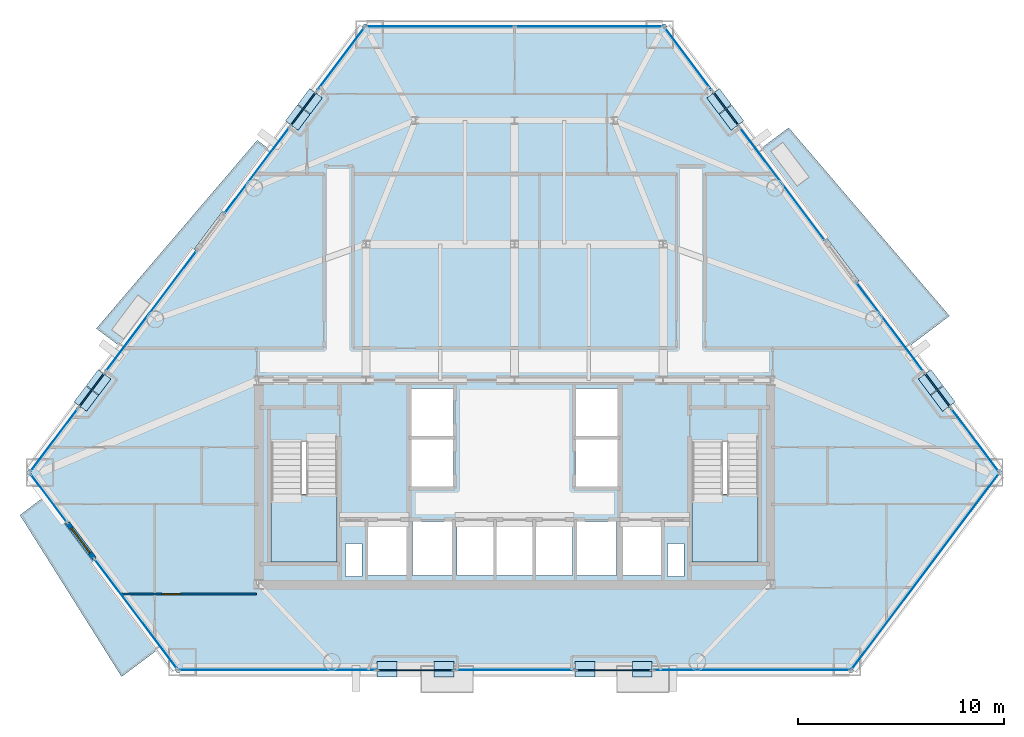
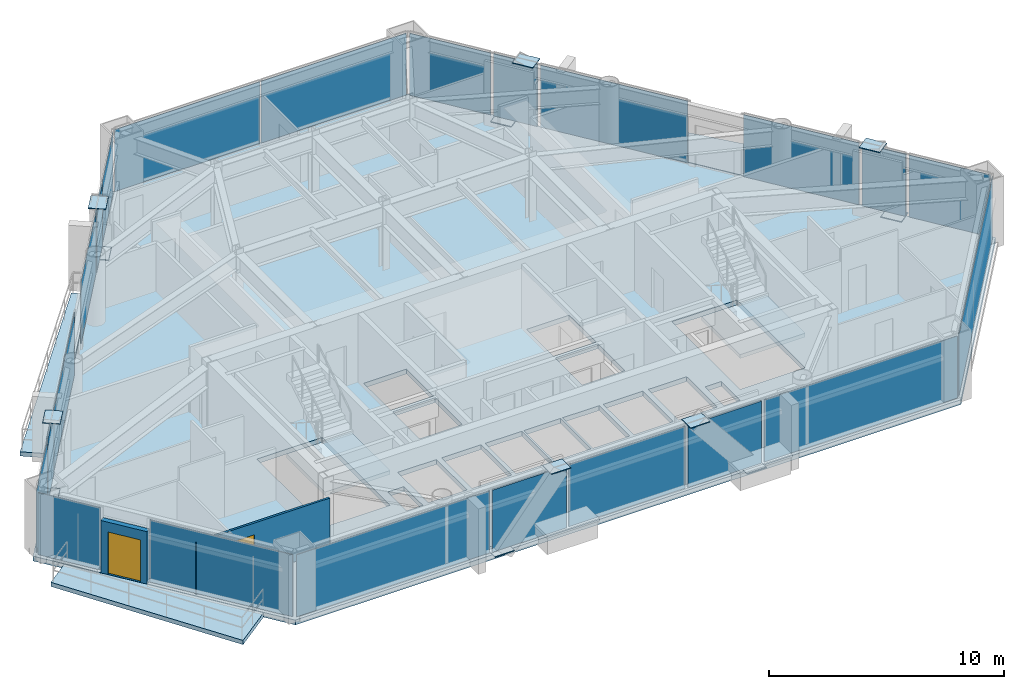
# One storey, part 5 of 11: 34 plates, 6 slabs, 2 doors, 2 walls, 2 openings, 23 elements without a shape of their own.
"""IFC4 building model written with IfcOpenShell, lengths in metres."""

from ifc_helpers import new_model, si_unit, direction, frame, frame_2d, origin, origin_2d, place, context, subcontext, project, spatial, polyline, rectangle, outline, extrude, source, transform, mapped, material, layer, layer_set, type_object, type_shapes, element, fill, aggregate, save


model = new_model("IFC4")

# Units and contexts
model_context = context("Model", 3, precision=1e-05, world=origin(), true_north=direction((0.0, 1.0)))
body_context = subcontext(model_context, "Body", "Model", "MODEL_VIEW")
ifc_project = project(units=[si_unit("LENGTHUNIT", "METRE"), si_unit("AREAUNIT", "SQUARE_METRE"), si_unit("VOLUMEUNIT", "CUBIC_METRE"), si_unit("PLANEANGLEUNIT", "RADIAN"), si_unit("MASSUNIT", "GRAM", prefix="KILO")], contexts=[model_context])

# Site, building, storey
site_placement = place(None, origin())
site = spatial("IfcSite", under=ifc_project, at=site_placement, CompositionType="ELEMENT")
building_placement = place(site_placement, origin())
building = spatial("IfcBuilding", under=site, at=building_placement, Name="Talgorran Terracotta Tower", CompositionType="ELEMENT")
storey_placement = place(building_placement, frame((0.0, 0.0, 68.39990234375)))
storey = spatial("IfcBuildingStorey", under=building, at=storey_placement, Name="L17", CompositionType="ELEMENT", Elevation=68.39990234375)

# Plates
ifc_material_1 = material(Name="Steel Grade 350 (350L0)", Category="steel")
ifc_layer_1 = layer(ifc_material_1, 0.0400390625, Name="PL_CAP_MN05")
ifc_layer_set_1 = layer_set([ifc_layer_1], Name="Steel Grade 350 (350L0)")
plate_type_1 = type_object("IfcPlateType", Name="PL_CAP_MN05", PredefinedType="USERDEFINED", material=ifc_layer_set_1)
for number, where, z_axis, x_axis, name in (
    (1, (-6.187255859375, -18.206787109375, -0.010009765625), (0.0, 0.0, 1.0), (1.0, 0.0, 0.0), "L17 Diagonal Frame End Cap SWF Bot"),
    (2, (-3.419189453125, -18.206787109375, 3.320068359375), (0.0, 0.0, 1.0), (1.0, 0.0, 0.0), "L17 Diagonal Frame End Cap SWF Top"),
    (3, (6.187255859375, -18.206787109375, -0.010009765625), (0.0, 0.0, 1.0), (-1.0, 0.0, 0.0), "L17 Diagonal Frame End Cap SEF Bot"),
    (4, (3.419189453125, -18.206787109375, 3.320068359375), (0.0, 0.0, 1.0), (-1.0, 0.0, 0.0), "L17 Diagonal Frame End Cap SEF Top"),
    (5, (20.759765625, -5.089599609375, -0.010009765625), (0.0, 0.0, 1.0), (-0.601257323772, 0.799055461536, 0.0), "L17 Diagonal Frame End Cap NEL Bot"),
    (6, (20.15869140625, -4.291015625, 3.320068359375), (0.0, 0.0, 1.0), (-0.601257323772, 0.799055461536, 0.0), "L17 Diagonal Frame End Cap NEL Top"),
    (7, (9.910400390625, 9.32958984375, -0.010009765625), (0.0, 0.0, 1.0), (0.601257323772, -0.799055461536, 0.0), "L17 Diagonal Frame End Cap NEU Bot"),
    (8, (10.51123046875, 8.531005859375, 3.320068359375), (0.0, 0.0, 1.0), (0.601257323772, -0.799055461536, 0.0), "L17 Diagonal Frame End Cap NEU Top"),
    (9, (-9.910400390625, 9.32958984375, -0.010009765625), (0.0, 0.0, 1.0), (-0.601257323772, -0.799055461536, 0.0), "L17 Diagonal Frame End Cap NWU Bot"),
    (10, (-10.51123046875, 8.531005859375, 3.320068359375), (0.0, 0.0, 1.0), (-0.601257323772, -0.799055461536, 0.0), "L17 Diagonal Frame End Cap NWU Top"),
    (11, (-20.759765625, -5.089599609375, -0.010009765625), (0.0, 0.0, 1.0), (0.601257323772, 0.799055461536, 0.0), "L17 Diagonal Frame End Cap NWL Bot"),
    (12, (-20.15869140625, -4.291015625, 3.320068359375), (0.0, 0.0, 1.0), (0.601257323772, 0.799055461536, 0.0), "L17 Diagonal Frame End Cap NWL Top"),
):
    element("IfcPlate", number, at=place(storey_placement, frame(where, z_axis=z_axis, x_axis=x_axis)), inside=storey, type_object=plate_type_1, Name=name, ObjectType="CAP PLATE", PredefinedType="USERDEFINED", context=body_context, shape_type="SweptSolid", body=[
        extrude(rectangle(XDim=0.9599609375, YDim=0.760009765625, at=origin_2d()), origin(), (0.0, 0.0, 1.0), 0.0400390625),
    ])

# Slabs
ifc_material_2 = material(Name="Concrete C40/50", Category="concrete")
ifc_layer_2 = layer(ifc_material_2, 0.219970703125, Name="SL_BALCONY_220")
ifc_layer_set_2 = layer_set([ifc_layer_2], Name="Concrete C40/50")
slab_type_1 = type_object("IfcSlabType", Name="SL_BALCONY_220", PredefinedType="FLOOR", material=ifc_layer_set_2)
slab_1_placement = place(storey_placement, frame((0.0, 0.0, -0.219970703125)))
element("IfcSlab", 13, at=slab_1_placement, inside=storey, type_object=slab_type_1, Name="L17 Outdoor Wave Balcony BAL-NE", PredefinedType="FLOOR", context=body_context, shape_type="SweptSolid", body=[
    extrude(outline(polyline([(11.88720703125, 6.9931640625), (19.086669921875, -2.574951171875), (21.0732421875, -1.080078125), (13.2822265625, 8.04248046875), (11.88720703125, 6.9931640625)])), origin(), (0.0, 0.0, 1.0), 0.219970703125),
])
slab_2_placement = place(storey_placement, frame((0.0, 0.0, -0.219970703125)))
element("IfcSlab", 14, at=slab_2_placement, inside=storey, type_object=slab_type_1, Name="L17 Outdoor Wave Balcony BAL-NW", PredefinedType="FLOOR", context=body_context, shape_type="SweptSolid", body=[
    extrude(outline(polyline([(-19.086669921875, -2.574951171875), (-11.88720703125, 6.9931640625), (-12.4736328125, 7.43408203125), (-20.2646484375, -1.688720703125), (-19.086669921875, -2.574951171875)])), origin(), (0.0, 0.0, 1.0), 0.219970703125),
])
slab_3_placement = place(storey_placement, frame((0.0, 0.0, -0.219970703125)))
element("IfcSlab", 15, at=slab_3_placement, inside=storey, type_object=slab_type_1, Name="L17 Outdoor Wave Balcony BAL-SW", PredefinedType="FLOOR", context=body_context, shape_type="SweptSolid", body=[
    extrude(outline(polyline([(-17.249267578125, -17.21240234375), (-22.792724609375, -9.84521484375), (-23.968994140625, -10.730224609375), (-19.04248046875, -18.561767578125), (-17.249267578125, -17.21240234375)])), origin(), (0.0, 0.0, 1.0), 0.219970703125),
])

# Stair, slab
stair_type = type_object("IfcStairType", Name="ST_FIRE_SCISSOR", PredefinedType="HALF_TURN_STAIR", material=ifc_material_2)
stair_1_placement = place(storey_placement, origin())
stair_1 = element("IfcStair", 16, at=stair_1_placement, inside=storey, type_object=stair_type, Name="L17 West Protected Fire Stair ST-01", PredefinedType="HALF_TURN_STAIR")
ifc_layer_3 = layer(ifc_material_2, 0.199951171875, Name="SL_LANDING_200")
ifc_layer_set_3 = layer_set([ifc_layer_3], Name="Concrete C40/50")
slab_type_2 = type_object("IfcSlabType", Name="SL_LANDING_200", PredefinedType="LANDING", material=ifc_layer_set_3)
slab_4_placement = place(storey_placement, frame((0.0, 0.0, 1.60009765625)))
slab_4 = element("IfcSlab", 17, at=slab_4_placement, type_object=slab_type_2, Name="ST-01 landing 1", PredefinedType="LANDING", context=body_context, shape_type="SweptSolid", body=[
    extrude(outline(polyline([(-11.800048828125, -9.719970703125), (-11.800048828125, -13.0), (-8.60009765625, -13.0), (-8.60009765625, -9.719970703125), (-11.800048828125, -9.719970703125)])), origin(), (0.0, 0.0, 1.0), 0.199951171875),
])
aggregate(stair_1, [slab_4])

stair_2_placement = place(storey_placement, origin())
stair_2 = element("IfcStair", 18, at=stair_2_placement, inside=storey, type_object=stair_type, Name="L17 East Protected Fire Stair ST-02", PredefinedType="HALF_TURN_STAIR")
slab_5_placement = place(storey_placement, frame((0.0, 0.0, 1.60009765625)))
slab_5 = element("IfcSlab", 19, at=slab_5_placement, type_object=slab_type_2, Name="ST-02 landing 1", PredefinedType="LANDING", context=body_context, shape_type="SweptSolid", body=[
    extrude(outline(polyline([(8.60009765625, -9.719970703125), (8.60009765625, -13.0), (11.800048828125, -13.0), (11.800048828125, -9.719970703125), (8.60009765625, -9.719970703125)])), origin(), (0.0, 0.0, 1.0), 0.199951171875),
])
aggregate(stair_2, [slab_5])

# Slab
ifc_layer_4 = layer(ifc_material_2, 0.264892578125, Name="SL_TOWER_265")
ifc_layer_set_4 = layer_set([ifc_layer_4], Name="Concrete C40/50")
slab_type_3 = type_object("IfcSlabType", Name="SL_TOWER_265", PredefinedType="FLOOR", material=ifc_layer_set_4)
slab_6_placement = place(storey_placement, frame((0.0, 0.0, -0.25)))
element("IfcSlab", 20, at=slab_6_placement, inside=storey, type_object=slab_type_3, Name="Storey L17 Structural Floor Slab", PredefinedType="FLOOR", context=body_context, shape_type="SweptSolid", body=[
    extrude(outline(polyline([(-23.656005859375, -8.6728515625), (-16.362060546875, -18.36669921875), (16.362060546875, -18.36669921875), (23.656005859375, -8.6728515625), (7.2939453125, 13.07275390625), (-7.2939453125, 13.07275390625), (-23.656005859375, -8.6728515625)]), holes=[polyline([(-11.800048828125, -7.199951171875), (-11.800048828125, -13.0), (-8.60009765625, -13.0), (-8.60009765625, -7.199951171875), (-11.800048828125, -7.199951171875)]), polyline([(8.60009765625, -7.199951171875), (8.60009765625, -13.0), (11.800048828125, -13.0), (11.800048828125, -7.199951171875), (8.60009765625, -7.199951171875)]), polyline([(-7.10009765625, -13.64990234375), (-5.199951171875, -13.64990234375), (-5.199951171875, -11.050048828125), (-7.10009765625, -11.050048828125), (-7.10009765625, -13.64990234375)]), polyline([(5.199951171875, -13.64990234375), (7.10009765625, -13.64990234375), (7.10009765625, -11.050048828125), (5.199951171875, -11.050048828125), (5.199951171875, -13.64990234375)]), polyline([(3.0, -13.64990234375), (4.949951171875, -13.64990234375), (4.949951171875, -11.050048828125), (3.0, -11.050048828125), (3.0, -13.64990234375)]), polyline([(-4.949951171875, -13.64990234375), (-3.0, -13.64990234375), (-3.0, -11.050048828125), (-4.949951171875, -11.050048828125), (-4.949951171875, -13.64990234375)]), polyline([(-5.050048828125, -9.35009765625), (-2.949951171875, -9.35009765625), (-2.949951171875, -7.050048828125), (-5.050048828125, -7.050048828125), (-5.050048828125, -9.35009765625)]), polyline([(-5.050048828125, -6.89990234375), (-2.949951171875, -6.89990234375), (-2.949951171875, -4.60009765625), (-5.050048828125, -4.60009765625), (-5.050048828125, -6.89990234375)]), polyline([(2.949951171875, -9.35009765625), (5.050048828125, -9.35009765625), (5.050048828125, -7.050048828125), (2.949951171875, -7.050048828125), (2.949951171875, -9.35009765625)]), polyline([(2.949951171875, -6.89990234375), (5.050048828125, -6.89990234375), (5.050048828125, -4.60009765625), (2.949951171875, -4.60009765625), (2.949951171875, -6.89990234375)]), polyline([(-2.800048828125, -13.64990234375), (-1.0, -13.64990234375), (-1.0, -11.050048828125), (-2.800048828125, -11.050048828125), (-2.800048828125, -13.64990234375)]), polyline([(-0.89990234375, -13.64990234375), (0.89990234375, -13.64990234375), (0.89990234375, -11.050048828125), (-0.89990234375, -11.050048828125), (-0.89990234375, -13.64990234375)]), polyline([(1.0, -13.64990234375), (2.800048828125, -13.64990234375), (2.800048828125, -11.050048828125), (1.0, -11.050048828125), (1.0, -13.64990234375)]), polyline([(-8.199951171875, -13.699951171875), (-7.39990234375, -13.699951171875), (-7.39990234375, -12.10009765625), (-8.199951171875, -12.10009765625), (-8.199951171875, -13.699951171875)]), polyline([(7.39990234375, -13.699951171875), (8.199951171875, -13.699951171875), (8.199951171875, -12.10009765625), (7.39990234375, -12.10009765625), (7.39990234375, -13.699951171875)])]), origin(), (0.0, 0.0, 1.0), 0.25),
])

# Curtain wall, plate
ifc_material_3 = material(Name="Unitised Low-E Double Glazing", Category="glass")
ifc_layer_5 = layer(ifc_material_3, 0.199951171875, Name="CW_SYS2_RES_LOW")
ifc_layer_set_5 = layer_set([ifc_layer_5], Name="Unitised Low-E Double Glazing")
curtain_wall_type = type_object("IfcCurtainWallType", Name="CW_SYS2_RES_LOW", PredefinedType="NOTDEFINED", material=ifc_layer_set_5)
curtain_wall_1_placement = place(storey_placement, origin())
curtain_wall_1 = element("IfcCurtainWall", 21, at=curtain_wall_1_placement, inside=storey, type_object=curtain_wall_type, Name="CW-L17-F10", PredefinedType="NOTDEFINED")
ifc_material_4 = material(Name="Low-E Laminated Vision Glass", Category="glass")
ifc_layer_6 = layer(ifc_material_4, 0.028076171875, Name="PLT_VISION_28")
ifc_layer_set_6 = layer_set([ifc_layer_6], Name="Low-E Laminated Vision Glass")
plate_type_2 = type_object("IfcPlateType", Name="PLT_VISION_28", PredefinedType="CURTAIN_PANEL", material=ifc_layer_set_6)
shared_shape_1 = source(origin(), body_context, "Body", "SweptSolid", [
    extrude(rectangle(XDim=2.870849609375, YDim=0.028076171875, at=origin_2d()), origin(), (0.0, 0.0, 1.0), 3.219970703125),
])
plate_1_placement = place(storey_placement, frame((-22.57958984375, -9.90380859375, 0.06494140625), z_axis=(0.0, 0.0, 1.0), x_axis=(0.601252220013, -0.799059301885, 0.0)))
plate_1 = element("IfcPlate", 22, at=plate_1_placement, type_object=plate_type_2, Name="CW-L17-10 panel 1.1", PredefinedType="CURTAIN_PANEL", context=body_context, shape_type="MappedRepresentation", body=[
    mapped(shared_shape_1, transform((0.0, 0.0, 0.0), scale=1.0)),
])
aggregate(curtain_wall_1, [plate_1])

curtain_wall_2_placement = place(storey_placement, origin())
curtain_wall_2 = element("IfcCurtainWall", 23, at=curtain_wall_2_placement, inside=storey, type_object=curtain_wall_type, Name="CW-L17-F11", PredefinedType="NOTDEFINED")
shared_shape_2 = source(origin(), body_context, "Body", "SweptSolid", [
    extrude(rectangle(XDim=6.6103515625, YDim=0.028076171875, at=origin_2d()), origin(), (0.0, 0.0, 1.0), 3.219970703125),
])
plate_2_placement = place(storey_placement, frame((-18.3525390625, -15.521728515625, 0.06494140625), z_axis=(0.0, 0.0, 1.0), x_axis=(0.601252596491, -0.799059018604, 0.0)))
plate_2 = element("IfcPlate", 24, at=plate_2_placement, type_object=plate_type_2, Name="CW-L17-11 panel 1.1", PredefinedType="CURTAIN_PANEL", context=body_context, shape_type="MappedRepresentation", body=[
    mapped(shared_shape_2, transform((0.0, 0.0, 0.0), scale=1.0)),
])
aggregate(curtain_wall_2, [plate_2])

curtain_wall_3_placement = place(storey_placement, origin())
curtain_wall_3 = element("IfcCurtainWall", 25, at=curtain_wall_3_placement, inside=storey, type_object=curtain_wall_type, Name="CW-L17-F1", PredefinedType="NOTDEFINED")
shared_shape_3 = source(origin(), body_context, "Body", "SweptSolid", [
    extrude(rectangle(XDim=9.48095703125, YDim=0.028076171875, at=origin_2d()), origin(), (0.0, 0.0, 1.0), 3.219970703125),
])
plate_3_placement = place(storey_placement, frame((-11.49658203125, -18.24658203125, 0.06494140625), z_axis=(0.0, 0.0, 1.0), x_axis=(1.0, 0.0, 0.0)))
plate_3 = element("IfcPlate", 26, at=plate_3_placement, type_object=plate_type_2, Name="CW-L17-1 panel 1.1", PredefinedType="CURTAIN_PANEL", context=body_context, shape_type="MappedRepresentation", body=[
    mapped(shared_shape_3, transform((0.0, 0.0, 0.0), scale=1.0)),
])
aggregate(curtain_wall_3, [plate_3])

curtain_wall_4_placement = place(storey_placement, origin())
curtain_wall_4 = element("IfcCurtainWall", 27, at=curtain_wall_4_placement, inside=storey, type_object=curtain_wall_type, Name="CW-L17-F1E", PredefinedType="NOTDEFINED")
plate_4_placement = place(storey_placement, frame((11.49658203125, -18.24658203125, 0.06494140625), z_axis=(0.0, 0.0, 1.0), x_axis=(1.0, 0.0, 0.0)))
plate_4 = element("IfcPlate", 28, at=plate_4_placement, type_object=plate_type_2, Name="CW-L17-1E panel 1.1", PredefinedType="CURTAIN_PANEL", context=body_context, shape_type="MappedRepresentation", body=[
    mapped(shared_shape_3, transform((0.0, 0.0, 0.0), scale=1.0)),
])
aggregate(curtain_wall_4, [plate_4])

curtain_wall_5_placement = place(storey_placement, origin())
curtain_wall_5 = element("IfcCurtainWall", 29, at=curtain_wall_5_placement, inside=storey, type_object=curtain_wall_type, Name="CW-L17-F1B", PredefinedType="NOTDEFINED")
ifc_material_5 = material(Name="Terracotta Insulated Spandrel", Category="masonry")
ifc_layer_7 = layer(ifc_material_5, 0.06494140625, Name="PLT_SPANDREL_TERRA")
ifc_layer_set_7 = layer_set([ifc_layer_7], Name="Terracotta Insulated Spandrel")
plate_type_3 = type_object("IfcPlateType", Name="PLT_SPANDREL_TERRA", PredefinedType="SHEET", material=ifc_layer_set_7)
shared_shape_4 = source(origin(), body_context, "Body", "SweptSolid", [
    extrude(rectangle(XDim=3.6259765625, YDim=0.06494140625, at=origin_2d()), origin(), (0.0, 0.0, 1.0), 3.219970703125),
])
plate_5_placement = place(storey_placement, frame((-4.80322265625, -18.24658203125, 0.06494140625), z_axis=(0.0, 0.0, 1.0), x_axis=(1.0, 0.0, 0.0)))
plate_5 = element("IfcPlate", 30, at=plate_5_placement, type_object=plate_type_3, Name="CW-L17-1B panel 1.1", PredefinedType="CURTAIN_PANEL", context=body_context, shape_type="MappedRepresentation", body=[
    mapped(shared_shape_4, transform((0.0, 0.0, 0.0), scale=1.0)),
])
aggregate(curtain_wall_5, [plate_5])

curtain_wall_6_placement = place(storey_placement, origin())
curtain_wall_6 = element("IfcCurtainWall", 31, at=curtain_wall_6_placement, inside=storey, type_object=curtain_wall_type, Name="CW-L17-F1D", PredefinedType="NOTDEFINED")
plate_6_placement = place(storey_placement, frame((4.80322265625, -18.24658203125, 0.06494140625), z_axis=(0.0, 0.0, 1.0), x_axis=(1.0, 0.0, 0.0)))
plate_6 = element("IfcPlate", 32, at=plate_6_placement, type_object=plate_type_3, Name="CW-L17-1D panel 1.1", PredefinedType="CURTAIN_PANEL", context=body_context, shape_type="MappedRepresentation", body=[
    mapped(shared_shape_4, transform((0.0, 0.0, 0.0), scale=1.0)),
])
aggregate(curtain_wall_6, [plate_6])

curtain_wall_7_placement = place(storey_placement, origin())
curtain_wall_7 = element("IfcCurtainWall", 33, at=curtain_wall_7_placement, inside=storey, type_object=curtain_wall_type, Name="CW-L17-F1C", PredefinedType="NOTDEFINED")
shared_shape_5 = source(origin(), body_context, "Body", "SweptSolid", [
    extrude(rectangle(XDim=5.70068359375, YDim=0.028076171875, at=origin_2d()), origin(), (0.0, 0.0, 1.0), 3.219970703125),
])
plate_7_placement = place(storey_placement, frame((0.0, -18.24658203125, 0.06494140625), z_axis=(0.0, 0.0, 1.0), x_axis=(1.0, 0.0, 0.0)))
plate_7 = element("IfcPlate", 34, at=plate_7_placement, type_object=plate_type_2, Name="CW-L17-1C panel 1.1", PredefinedType="CURTAIN_PANEL", context=body_context, shape_type="MappedRepresentation", body=[
    mapped(shared_shape_5, transform((0.0, 0.0, 0.0), scale=1.0)),
])
aggregate(curtain_wall_7, [plate_7])

curtain_wall_8_placement = place(storey_placement, origin())
curtain_wall_8 = element("IfcCurtainWall", 35, at=curtain_wall_8_placement, inside=storey, type_object=curtain_wall_type, Name="CW-L17-F2", PredefinedType="NOTDEFINED")
shared_shape_6 = source(origin(), body_context, "Body", "SweptSolid", [
    extrude(rectangle(XDim=11.851318359375, YDim=0.028076171875, at=origin_2d()), origin(), (0.0, 0.0, 1.0), 3.219970703125),
])
plate_8_placement = place(storey_placement, frame((19.904052734375, -13.459716796875, 0.06494140625), z_axis=(0.0, 0.0, 1.0), x_axis=(0.601242540556, 0.799066585102, 0.0)))
plate_8 = element("IfcPlate", 36, at=plate_8_placement, type_object=plate_type_2, Name="CW-L17-2 panel 1.1", PredefinedType="CURTAIN_PANEL", context=body_context, shape_type="MappedRepresentation", body=[
    mapped(shared_shape_6, transform((0.0, 0.0, 0.0), scale=1.0)),
])
aggregate(curtain_wall_8, [plate_8])

curtain_wall_9_placement = place(storey_placement, origin())
curtain_wall_9 = element("IfcCurtainWall", 37, at=curtain_wall_9_placement, inside=storey, type_object=curtain_wall_type, Name="CW-L17-F40", PredefinedType="NOTDEFINED")
shared_shape_7 = source(origin(), body_context, "Body", "SweptSolid", [
    extrude(rectangle(XDim=3.757568359375, YDim=0.028076171875, at=origin_2d()), origin(), (0.0, 0.0, 1.0), 3.219970703125),
])
plate_9_placement = place(storey_placement, frame((22.31298828125, -7.087646484375, 0.06494140625), z_axis=(0.0, 0.0, 1.0), x_axis=(-0.601250435077, 0.799060644957, 0.0)))
plate_9 = element("IfcPlate", 38, at=plate_9_placement, type_object=plate_type_2, Name="CW-L17-40 panel 1.1", PredefinedType="CURTAIN_PANEL", context=body_context, shape_type="MappedRepresentation", body=[
    mapped(shared_shape_7, transform((0.0, 0.0, 0.0), scale=1.0)),
])
aggregate(curtain_wall_9, [plate_9])

curtain_wall_10_placement = place(storey_placement, origin())
curtain_wall_10 = element("IfcCurtainWall", 39, at=curtain_wall_10_placement, inside=storey, type_object=curtain_wall_type, Name="CW-L17-F61C", PredefinedType="NOTDEFINED")
plate_10_placement = place(storey_placement, frame((-22.31298828125, -7.087646484375, 0.06494140625), z_axis=(0.0, 0.0, 1.0), x_axis=(-0.601250435077, -0.799060644957, 0.0)))
plate_10 = element("IfcPlate", 40, at=plate_10_placement, type_object=plate_type_2, Name="CW-L17-61C panel 1.1", PredefinedType="CURTAIN_PANEL", context=body_context, shape_type="MappedRepresentation", body=[
    mapped(shared_shape_7, transform((0.0, 0.0, 0.0), scale=1.0)),
])
aggregate(curtain_wall_10, [plate_10])

curtain_wall_11_placement = place(storey_placement, origin())
curtain_wall_11 = element("IfcCurtainWall", 41, at=curtain_wall_11_placement, inside=storey, type_object=curtain_wall_type, Name="CW-L17-F40B", PredefinedType="NOTDEFINED")
shared_shape_8 = source(origin(), body_context, "Body", "SweptSolid", [
    extrude(rectangle(XDim=2.02294921875, YDim=0.06494140625, at=origin_2d()), origin(), (0.0, 0.0, 1.0), 3.219970703125),
])
type_shapes(plate_type_3, [shared_shape_4, shared_shape_8])
plate_11_placement = place(storey_placement, frame((20.4912109375, -4.666259765625, 0.06494140625), z_axis=(0.0, 0.0, 1.0), x_axis=(-0.601247746727, 0.79906266779, 0.0)))
plate_11 = element("IfcPlate", 42, at=plate_11_placement, type_object=plate_type_3, Name="CW-L17-40B panel 1.1", PredefinedType="CURTAIN_PANEL", context=body_context, shape_type="MappedRepresentation", body=[
    mapped(shared_shape_8, transform((0.0, 0.0, 0.0), scale=1.0)),
])
aggregate(curtain_wall_11, [plate_11])

curtain_wall_12_placement = place(storey_placement, origin())
curtain_wall_12 = element("IfcCurtainWall", 43, at=curtain_wall_12_placement, inside=storey, type_object=curtain_wall_type, Name="CW-L17-F41B", PredefinedType="NOTDEFINED")
plate_12_placement = place(storey_placement, frame((10.24267578125, 8.954345703125, 0.06494140625), z_axis=(0.0, 0.0, 1.0), x_axis=(-0.601247746727, 0.79906266779, 0.0)))
plate_12 = element("IfcPlate", 44, at=plate_12_placement, type_object=plate_type_3, Name="CW-L17-41B panel 1.1", PredefinedType="CURTAIN_PANEL", context=body_context, shape_type="MappedRepresentation", body=[
    mapped(shared_shape_8, transform((0.0, 0.0, 0.0), scale=1.0)),
])
aggregate(curtain_wall_12, [plate_12])

curtain_wall_13_placement = place(storey_placement, origin())
curtain_wall_13 = element("IfcCurtainWall", 45, at=curtain_wall_13_placement, inside=storey, type_object=curtain_wall_type, Name="CW-L17-F60B", PredefinedType="NOTDEFINED")
plate_13_placement = place(storey_placement, frame((-10.24267578125, 8.954345703125, 0.06494140625), z_axis=(0.0, 0.0, 1.0), x_axis=(-0.601247746727, -0.79906266779, 0.0)))
plate_13 = element("IfcPlate", 46, at=plate_13_placement, type_object=plate_type_3, Name="CW-L17-60B panel 1.1", PredefinedType="CURTAIN_PANEL", context=body_context, shape_type="MappedRepresentation", body=[
    mapped(shared_shape_8, transform((0.0, 0.0, 0.0), scale=1.0)),
])
aggregate(curtain_wall_13, [plate_13])

curtain_wall_14_placement = place(storey_placement, origin())
curtain_wall_14 = element("IfcCurtainWall", 47, at=curtain_wall_14_placement, inside=storey, type_object=curtain_wall_type, Name="CW-L17-F61B", PredefinedType="NOTDEFINED")
plate_14_placement = place(storey_placement, frame((-20.4912109375, -4.666259765625, 0.06494140625), z_axis=(0.0, 0.0, 1.0), x_axis=(-0.601218089449, -0.799084982289, 0.0)))
plate_14 = element("IfcPlate", 48, at=plate_14_placement, type_object=plate_type_3, Name="CW-L17-61B panel 1.1", PredefinedType="CURTAIN_PANEL", context=body_context, shape_type="MappedRepresentation", body=[
    mapped(shared_shape_8, transform((0.0, 0.0, 0.0), scale=1.0)),
])
aggregate(curtain_wall_14, [plate_14])

curtain_wall_15_placement = place(storey_placement, origin())
curtain_wall_15 = element("IfcCurtainWall", 49, at=curtain_wall_15_placement, inside=storey, type_object=curtain_wall_type, Name="CW-L17-F40C", PredefinedType="NOTDEFINED")
shared_shape_9 = source(origin(), body_context, "Body", "SweptSolid", [
    extrude(rectangle(XDim=5.342529296875, YDim=0.028076171875, at=origin_2d()), origin(), (0.0, 0.0, 1.0), 3.219970703125),
])
plate_15_placement = place(storey_placement, frame((18.192626953125, -1.611572265625, 0.06494140625), z_axis=(0.0, 0.0, 1.0), x_axis=(-0.601244739739, 0.799064930363, 0.0)))
plate_15 = element("IfcPlate", 50, at=plate_15_placement, type_object=plate_type_2, Name="CW-L17-40C panel 1.1", PredefinedType="CURTAIN_PANEL", context=body_context, shape_type="MappedRepresentation", body=[
    mapped(shared_shape_9, transform((0.0, 0.0, 0.0), scale=1.0)),
])
aggregate(curtain_wall_15, [plate_15])

curtain_wall_16_placement = place(storey_placement, origin())
curtain_wall_16 = element("IfcCurtainWall", 51, at=curtain_wall_16_placement, inside=storey, type_object=curtain_wall_type, Name="CW-L17-F41", PredefinedType="NOTDEFINED")
shared_shape_10 = source(origin(), body_context, "Body", "SweptSolid", [
    extrude(rectangle(XDim=6.809814453125, YDim=0.028076171875, at=origin_2d()), origin(), (0.0, 0.0, 1.0), 3.219970703125),
])
plate_16_placement = place(storey_placement, frame((12.982177734375, 5.3134765625, 0.06494140625), z_axis=(0.0, 0.0, 1.0), x_axis=(-0.60124885586, 0.799061833232, 0.0)))
plate_16 = element("IfcPlate", 52, at=plate_16_placement, type_object=plate_type_2, Name="CW-L17-41 panel 1.1", PredefinedType="CURTAIN_PANEL", context=body_context, shape_type="MappedRepresentation", body=[
    mapped(shared_shape_10, transform((0.0, 0.0, 0.0), scale=1.0)),
])
aggregate(curtain_wall_16, [plate_16])

curtain_wall_17_placement = place(storey_placement, origin())
curtain_wall_17 = element("IfcCurtainWall", 53, at=curtain_wall_17_placement, inside=storey, type_object=curtain_wall_type, Name="CW-L17-F41C", PredefinedType="NOTDEFINED")
shared_shape_11 = source(origin(), body_context, "Body", "SweptSolid", [
    extrude(rectangle(XDim=3.747314453125, YDim=0.028076171875, at=origin_2d()), origin(), (0.0, 0.0, 1.0), 3.219970703125),
])
plate_17_placement = place(storey_placement, frame((8.423828125, 11.37158203125, 0.06494140625), z_axis=(0.0, 0.0, 1.0), x_axis=(-0.601249581609, 0.799061287146, 0.0)))
plate_17 = element("IfcPlate", 54, at=plate_17_placement, type_object=plate_type_2, Name="CW-L17-41C panel 1.1", PredefinedType="CURTAIN_PANEL", context=body_context, shape_type="MappedRepresentation", body=[
    mapped(shared_shape_11, transform((0.0, 0.0, 0.0), scale=1.0)),
])
aggregate(curtain_wall_17, [plate_17])

curtain_wall_18_placement = place(storey_placement, origin())
curtain_wall_18 = element("IfcCurtainWall", 55, at=curtain_wall_18_placement, inside=storey, type_object=curtain_wall_type, Name="CW-L17-F60", PredefinedType="NOTDEFINED")
plate_18_placement = place(storey_placement, frame((-8.423828125, 11.37158203125, 0.06494140625), z_axis=(0.0, 0.0, 1.0), x_axis=(-0.601249581609, -0.799061287146, 0.0)))
plate_18 = element("IfcPlate", 56, at=plate_18_placement, type_object=plate_type_2, Name="CW-L17-60 panel 1.1", PredefinedType="CURTAIN_PANEL", context=body_context, shape_type="MappedRepresentation", body=[
    mapped(shared_shape_11, transform((0.0, 0.0, 0.0), scale=1.0)),
])
aggregate(curtain_wall_18, [plate_18])

# Curtain wall, plates
curtain_wall_19_placement = place(storey_placement, origin())
curtain_wall_19 = element("IfcCurtainWall", 57, at=curtain_wall_19_placement, inside=storey, type_object=curtain_wall_type, Name="CW-L17-F4", PredefinedType="NOTDEFINED")
shared_shape_12 = source(origin(), body_context, "Body", "SweptSolid", [
    extrude(rectangle(XDim=7.13671875, YDim=0.028076171875, at=origin_2d()), origin(), (0.0, 0.0, 1.0), 3.219970703125),
])
plate_19_placement = place(storey_placement, frame((3.600830078125, 12.952880859375, 0.06494140625), z_axis=(0.0, 0.0, 1.0), x_axis=(-1.0, 0.0, 0.0)))
plate_19 = element("IfcPlate", 58, at=plate_19_placement, type_object=plate_type_2, Name="CW-L17-4 panel 1.1", PredefinedType="CURTAIN_PANEL", context=body_context, shape_type="MappedRepresentation", body=[
    mapped(shared_shape_12, transform((0.0, 0.0, 0.0), scale=1.0)),
])
plate_20_placement = place(storey_placement, frame((-3.600830078125, 12.952880859375, 0.06494140625), z_axis=(0.0, 0.0, 1.0), x_axis=(-1.0, 0.0, 0.0)))
plate_20 = element("IfcPlate", 59, at=plate_20_placement, type_object=plate_type_2, Name="CW-L17-4 panel 2.1", PredefinedType="CURTAIN_PANEL", context=body_context, shape_type="MappedRepresentation", body=[
    mapped(shared_shape_12, transform((0.0, 0.0, 0.0), scale=1.0)),
])
aggregate(curtain_wall_19, [plate_19, plate_20])

# Curtain wall, plate
curtain_wall_20_placement = place(storey_placement, origin())
curtain_wall_20 = element("IfcCurtainWall", 60, at=curtain_wall_20_placement, inside=storey, type_object=curtain_wall_type, Name="CW-L17-F60C", PredefinedType="NOTDEFINED")
shared_shape_13 = source(origin(), body_context, "Body", "SweptSolid", [
    extrude(rectangle(XDim=5.16943359375, YDim=0.028076171875, at=origin_2d()), origin(), (0.0, 0.0, 1.0), 3.219970703125),
])
plate_21_placement = place(storey_placement, frame((-12.489013671875, 5.96875, 0.06494140625), z_axis=(0.0, 0.0, 1.0), x_axis=(-0.601249204795, -0.799061570677, 0.0)))
plate_21 = element("IfcPlate", 61, at=plate_21_placement, type_object=plate_type_2, Name="CW-L17-60C panel 1.1", PredefinedType="CURTAIN_PANEL", context=body_context, shape_type="MappedRepresentation", body=[
    mapped(shared_shape_13, transform((0.0, 0.0, 0.0), scale=1.0)),
])
aggregate(curtain_wall_20, [plate_21])

curtain_wall_21_placement = place(storey_placement, origin())
curtain_wall_21 = element("IfcCurtainWall", 62, at=curtain_wall_21_placement, inside=storey, type_object=curtain_wall_type, Name="CW-L17-F61", PredefinedType="NOTDEFINED")
shared_shape_14 = source(origin(), body_context, "Body", "SweptSolid", [
    extrude(rectangle(XDim=7.282958984375, YDim=0.028076171875, at=origin_2d()), origin(), (0.0, 0.0, 1.0), 3.219970703125),
])
type_shapes(plate_type_2, [shared_shape_1, shared_shape_2, shared_shape_3, shared_shape_5, shared_shape_6, shared_shape_7, shared_shape_9, shared_shape_10, shared_shape_11, shared_shape_12, shared_shape_13, shared_shape_14])
plate_22_placement = place(storey_placement, frame((-17.609375, -0.836181640625, 0.06494140625), z_axis=(0.0, 0.0, 1.0), x_axis=(-0.601240339514, -0.799068241229, 0.0)))
plate_22 = element("IfcPlate", 63, at=plate_22_placement, type_object=plate_type_2, Name="CW-L17-61 panel 1.1", PredefinedType="CURTAIN_PANEL", context=body_context, shape_type="MappedRepresentation", body=[
    mapped(shared_shape_14, transform((0.0, 0.0, 0.0), scale=1.0)),
])
aggregate(curtain_wall_21, [plate_22])

# Wall, opening, door
ifc_layer_8 = layer(ifc_material_2, 0.239990234375, Name="WT_BALCONY_SPAND")
ifc_layer_set_8 = layer_set([ifc_layer_8], Name="Concrete C40/50")
wall_type_1 = type_object("IfcWallType", Name="WT_BALCONY_SPAND", PredefinedType="STANDARD", material=ifc_layer_set_8)
wall_1_placement = place(storey_placement, frame((-21.67138671875, -11.110595703125, -0.014892578125), z_axis=(0.0, 0.0, 1.0), x_axis=(0.601185740915, -0.799109319756, 0.0)))
wall_1 = element("IfcWall", 64, at=wall_1_placement, inside=storey, type_object=wall_type_1, Name="WL-L17-BALP-BAL-SW", PredefinedType="STANDARD", context=body_context, shape_type="SweptSolid", body=[
    extrude(rectangle(XDim=2.14013671875, YDim=0.239990234375, at=frame_2d((1.070068359375, 0.0))), origin(), (0.0, 0.0, 1.0), 2.728271484375),
])
opening_1_placement = place(wall_1_placement, frame((0.320068359375, 0.0, 0.014892578125)))
opening_1 = element("IfcOpeningElement", 65, at=opening_1_placement, cuts=wall_1, Name="Opening D-BAL-L17-3", PredefinedType="OPENING", context=body_context, shape_type="SweptSolid", body=[
    extrude(rectangle(XDim=1.506, YDim=2.203951171875, at=frame_2d((0.75, 1.10205078125))), frame((0.0, 0.1298828125, 0.0), z_axis=(0.0, -1.0, 0.0), x_axis=(1.0, 0.0, 0.0)), (0.0, 0.0, 1.0), 0.260009765625),
])
ifc_material_6 = material(Name="Thermally Broken Aluminium", Category="aluminium")
door_type_1 = type_object("IfcDoorType", Name="DT_BALC_1500", OperationType="SLIDING_TO_RIGHT", PredefinedType="DOOR", material=ifc_material_6)
door_1_placement = place(opening_1_placement, origin())
door_1 = element("IfcDoor", 66, at=door_1_placement, inside=storey, type_object=door_type_1, Name="DR-L17-BAL-BAL-SW", OperationType="SLIDING_TO_RIGHT", OverallHeight=2.199951171875, OverallWidth=1.5, PredefinedType="DOOR", context=body_context, shape_type="SweptSolid", body=[
    extrude(rectangle(XDim=1.5, YDim=2.199951171875, at=frame_2d((0.75, 1.10009765625))), frame((0.0, 0.02490234375, 0.0), z_axis=(0.0, -1.0, 0.0), x_axis=(1.0, 0.0, 0.0)), (0.0, 0.0, 1.0), 0.050048828125),
])
fill(opening_1, door_1)

ifc_material_7 = material(Name="Lightweight Steel Stud Partition", Category="steel")
ifc_layer_9 = layer(ifc_material_7, 0.10498046875, Name="WT_PART_110")
ifc_layer_set_9 = layer_set([ifc_layer_9], Name="Lightweight Steel Stud Partition")
wall_type_2 = type_object("IfcWallType", Name="WT_PART_110", PredefinedType="PARTITIONING", material=ifc_layer_set_9)
wall_2_placement = place(storey_placement, frame((-19.076171875, -14.56005859375, 0.0), z_axis=(0.0, 0.0, 1.0), x_axis=(1.0, 0.0, 0.0)))
wall_2 = element("IfcWall", 67, at=wall_2_placement, inside=storey, type_object=wall_type_2, Name="WL-L17-W-L17-R26", PredefinedType="PARTITIONING", context=body_context, shape_type="SweptSolid", body=[
    extrude(rectangle(XDim=6.576171875, YDim=0.10498046875, at=frame_2d((3.2880859375, 0.0))), origin(), (0.0, 0.0, 1.0), 2.71337890625),
])
opening_2_placement = place(wall_2_placement, frame((1.994873046875, 0.0, 0.0)))
opening_2 = element("IfcOpeningElement", 68, at=opening_2_placement, cuts=wall_2, Name="Opening DR-L17-R06", PredefinedType="OPENING", context=body_context, shape_type="SweptSolid", body=[
    extrude(rectangle(XDim=0.8858828125, YDim=2.10409765625, at=frame_2d((0.43994140625, 1.052001953125))), frame((0.0, 0.0625, 0.0), z_axis=(0.0, -1.0, 0.0), x_axis=(1.0, 0.0, 0.0)), (0.0, 0.0, 1.0), 0.125),
])
ifc_material_8 = material(Name="Solid-Core Painted Timber", Category="wood")
door_type_2 = type_object("IfcDoorType", Name="DT_INT_880", OperationType="NOTDEFINED", PredefinedType="DOOR", material=ifc_material_8)
door_2_placement = place(opening_2_placement, origin())
door_2 = element("IfcDoor", 69, at=door_2_placement, inside=storey, type_object=door_type_2, Name="DR-L17-R06", OperationType="SINGLE_SWING_RIGHT", OverallHeight=2.10009765625, OverallWidth=0.8798828125, PredefinedType="DOOR", context=body_context, shape_type="SweptSolid", body=[
    extrude(rectangle(XDim=0.8798828125, YDim=2.10009765625, at=frame_2d((0.43994140625, 1.050048828125))), frame((0.0, 0.02490234375, 0.0), z_axis=(0.0, -1.0, 0.0), x_axis=(1.0, 0.0, 0.0)), (0.0, 0.0, 1.0), 0.050048828125),
])
fill(opening_2, door_2)

save(model, "model.ifc")
